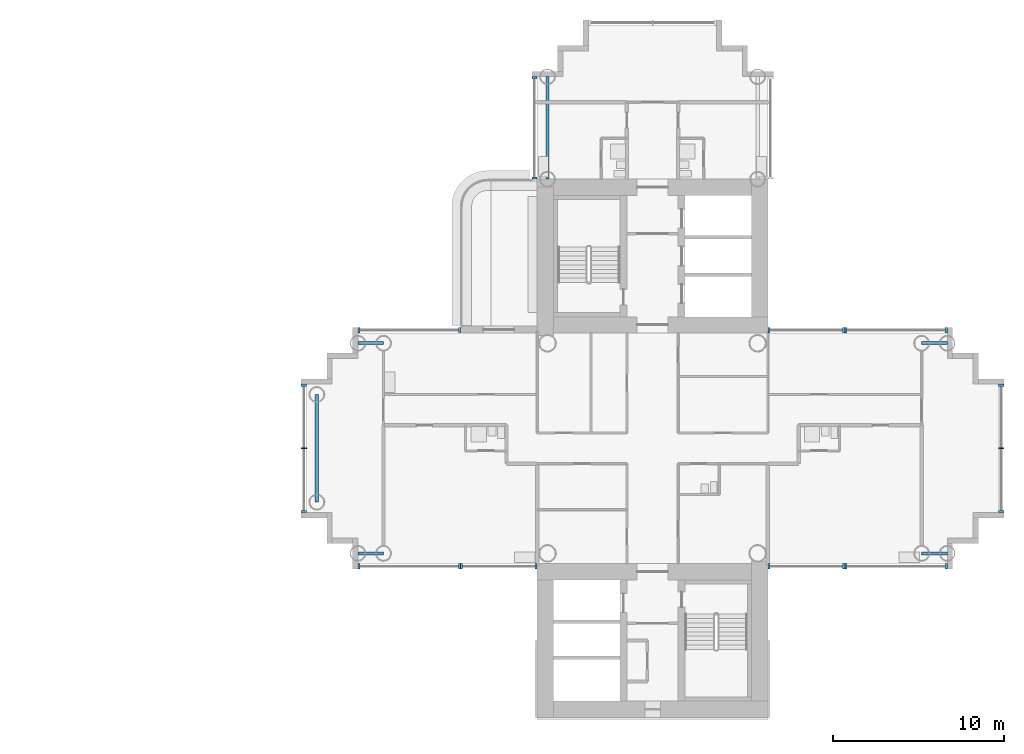
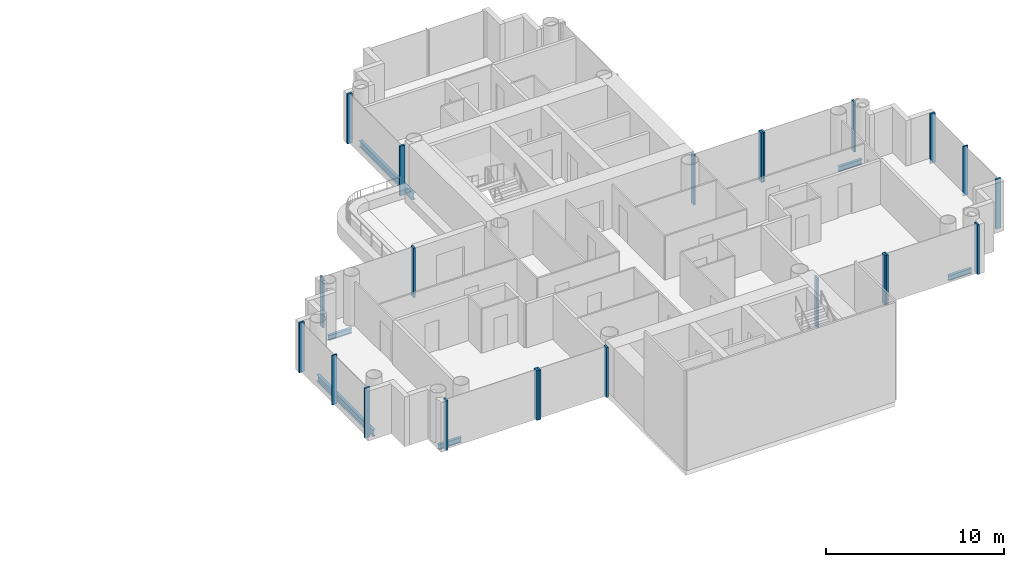
# One storey, part 5 of 21: 22 members, 6 beams, 10 elements without a shape of their own.
"""IFC4 building model written with IfcOpenShell, lengths in metres."""

from ifc_helpers import new_model, si_unit, direction, frame, origin, origin_2d, place, context, subcontext, project, spatial, rectangle, i_section, extrude, material, layer, layer_set, material_profile, profile_set, type_object, element, aggregate, save


model = new_model("IFC4")

# Units and contexts
model_context = context("Model", 3, precision=1e-05, world=origin(), true_north=direction((0.0, 1.0)))
body_context = subcontext(model_context, "Body", "Model", "MODEL_VIEW")
ifc_project = project(units=[si_unit("LENGTHUNIT", "METRE"), si_unit("AREAUNIT", "SQUARE_METRE"), si_unit("VOLUMEUNIT", "CUBIC_METRE"), si_unit("PLANEANGLEUNIT", "RADIAN"), si_unit("MASSUNIT", "GRAM", prefix="KILO")], contexts=[model_context])

# Site, building, storey
site_placement = place(None, origin())
site = spatial("IfcSite", under=ifc_project, at=site_placement, CompositionType="ELEMENT")
building_placement = place(site_placement, origin())
building = spatial("IfcBuilding", under=site, at=building_placement, Name="Ipe Terrace Towers", CompositionType="ELEMENT")
storey_placement = place(building_placement, frame((0.0, 0.0, 103.800048828125)))
storey = spatial("IfcBuildingStorey", under=building, at=storey_placement, Name="L28", CompositionType="ELEMENT", Elevation=103.800048828125)

# Beams
ifc_material_1 = material(Name="Steel S355", Category="steel")
ifc_material_profile_1 = material_profile(ifc_material_1, i_section(OverallWidth=0.175048828125, OverallDepth=0.35009765625, WebThickness=0.007080078125, FlangeThickness=0.010986328125, at=origin_2d()), Name="H-350x175x7x11")
ifc_profile_set_1 = profile_set([ifc_material_profile_1], Name="Steel S355")
beam_type_1 = type_object("IfcBeamType", Name="H04 EDGE BEAM H-350x175x7x11", PredefinedType="BEAM", material=ifc_profile_set_1)
for number, where, z_axis, x_axis, name in (
    (1, (20.25, 6.14990234375, -0.574951171875), (-1.0, 0.0, 0.0), (0.0, -1.0, 0.0), "Edge beam T2-EB-B03-B05"),
    (2, (20.25, -6.14990234375, -0.574951171875), (-1.0, 0.0, 0.0), (0.0, -1.0, 0.0), "Edge beam T2-EB-B04-B06"),
    (3, (51.75, -6.14990234375, -0.574951171875), (1.0, 0.0, 0.0), (0.0, 1.0, 0.0), "Edge beam T2-EB-D03-D05"),
    (4, (51.75, 6.14990234375, -0.574951171875), (1.0, 0.0, 0.0), (0.0, 1.0, 0.0), "Edge beam T2-EB-D04-D06"),
):
    element("IfcBeam", number, at=place(storey_placement, frame(where, z_axis=z_axis, x_axis=x_axis)), inside=storey, type_object=beam_type_1, Name=name, PredefinedType="BEAM", context=body_context, shape_type="SweptSolid", body=[
        extrude(i_section(OverallWidth=0.175048828125, OverallDepth=0.35009765625, WebThickness=0.007080078125, FlangeThickness=0.010986328125, at=origin_2d()), origin(), (0.0, 0.0, 1.0), 1.5),
    ])
ifc_material_2 = material(Name="Steel S355", Category="steel")
ifc_material_profile_2 = material_profile(ifc_material_2, i_section(OverallWidth=0.199951171875, OverallDepth=0.449951171875, WebThickness=0.009033203125, FlangeThickness=0.013916015625, at=origin_2d()), Name="H-450x200x9x14")
ifc_profile_set_2 = profile_set([ifc_material_profile_2], Name="Steel S355")
beam_type_2 = type_object("IfcBeamType", Name="H08 EDGE BEAM H-450x200x9x14", PredefinedType="BEAM", material=ifc_profile_set_2)
beam_1_placement = place(storey_placement, frame((29.85009765625, 15.75, -0.625), z_axis=(0.0, 1.0, 0.0), x_axis=(-1.0, 0.0, 0.0)))
element("IfcBeam", 5, at=beam_1_placement, inside=storey, type_object=beam_type_2, Name="Edge beam T2-EB-A02-A04", PredefinedType="BEAM", context=body_context, shape_type="SweptSolid", body=[
    extrude(i_section(OverallWidth=0.199951171875, OverallDepth=0.449951171875, WebThickness=0.009033203125, FlangeThickness=0.013916015625, at=origin_2d()), origin(), (0.0, 0.0, 1.0), 6.0),
])
beam_2_placement = place(storey_placement, frame((16.35009765625, 3.14990234375, -0.625), z_axis=(0.0, -1.0, 0.0), x_axis=(1.0, 0.0, 0.0)))
element("IfcBeam", 6, at=beam_2_placement, inside=storey, type_object=beam_type_2, Name="Edge beam T2-EB-B07-B08", PredefinedType="BEAM", context=body_context, shape_type="SweptSolid", body=[
    extrude(i_section(OverallWidth=0.199951171875, OverallDepth=0.449951171875, WebThickness=0.009033203125, FlangeThickness=0.013916015625, at=origin_2d()), origin(), (0.0, 0.0, 1.0), 6.2998046875),
])

# Curtain wall, members
ifc_material_3 = material(Name="Aluminium alloy 6063-T6", Category="aluminium")
ifc_layer = layer(ifc_material_3, 0.320068359375)
ifc_layer_set = layer_set([ifc_layer], Name="TOWER UNITISED CURTAIN WALL")
curtain_wall_type = type_object("IfcCurtainWallType", Name="TOWER UNITISED CURTAIN WALL", PredefinedType="NOTDEFINED", material=ifc_layer_set)
curtain_wall_1_placement = place(storey_placement, origin())
curtain_wall_1 = element("IfcCurtainWall", 7, at=curtain_wall_1_placement, inside=storey, type_object=curtain_wall_type, Name="T2-CW-L28-02a curtain wall", PredefinedType="NOTDEFINED")
ifc_material_4 = material(Name="Aluminium alloy 6063-T6", Category="aluminium")
ifc_material_profile_3 = material_profile(ifc_material_4, rectangle(XDim=0.320068359375, YDim=0.1201171875, at=origin_2d()), Name="TOWER UNITISED CORNER MULLION 320 x 120")
ifc_profile_set_3 = profile_set([ifc_material_profile_3], Name="Aluminium alloy 6063-T6")
member_type_1 = type_object("IfcMemberType", Name="TOWER UNITISED CORNER MULLION 320 x 120", PredefinedType="MULLION", material=ifc_profile_set_3)
member_1_placement = place(storey_placement, frame((42.81005859375, -6.909912109375, -0.300048828125), z_axis=(0.0, 0.0, 1.0), x_axis=(0.0, -1.0, 0.0)))
member_1 = element("IfcMember", 8, at=member_1_placement, type_object=member_type_1, Name="T2-CW-L28-02a mullion 1", PredefinedType="MULLION", context=body_context, shape_type="SweptSolid", body=[
    extrude(rectangle(XDim=0.320068359375, YDim=0.1201171875, at=origin_2d()), origin(), (0.0, 0.0, 1.0), 3.39990234375),
])
member_2_placement = place(storey_placement, frame((47.18994140625, -6.909912109375, -0.300048828125), z_axis=(0.0, 0.0, 1.0), x_axis=(0.0, -1.0, 0.0)))
member_2 = element("IfcMember", 9, at=member_2_placement, type_object=member_type_1, Name="T2-CW-L28-02a mullion 2", PredefinedType="MULLION", context=body_context, shape_type="SweptSolid", body=[
    extrude(rectangle(XDim=0.320068359375, YDim=0.1201171875, at=origin_2d()), origin(), (0.0, 0.0, 1.0), 3.39990234375),
])
aggregate(curtain_wall_1, [member_1, member_2])

curtain_wall_2_placement = place(storey_placement, origin())
curtain_wall_2 = element("IfcCurtainWall", 10, at=curtain_wall_2_placement, inside=storey, type_object=curtain_wall_type, Name="T2-CW-L28-03a curtain wall", PredefinedType="NOTDEFINED")
member_3_placement = place(storey_placement, frame((47.31005859375, -6.909912109375, -0.300048828125), z_axis=(0.0, 0.0, 1.0), x_axis=(0.0, -1.0, 0.0)))
member_3 = element("IfcMember", 11, at=member_3_placement, type_object=member_type_1, Name="T2-CW-L28-03a mullion 1", PredefinedType="MULLION", context=body_context, shape_type="SweptSolid", body=[
    extrude(rectangle(XDim=0.320068359375, YDim=0.1201171875, at=origin_2d()), origin(), (0.0, 0.0, 1.0), 3.39990234375),
])
member_4_placement = place(storey_placement, frame((53.18994140625, -6.909912109375, -0.300048828125), z_axis=(0.0, 0.0, 1.0), x_axis=(0.0, -1.0, 0.0)))
member_4 = element("IfcMember", 12, at=member_4_placement, type_object=member_type_1, Name="T2-CW-L28-03a mullion 2", PredefinedType="MULLION", context=body_context, shape_type="SweptSolid", body=[
    extrude(rectangle(XDim=0.320068359375, YDim=0.1201171875, at=origin_2d()), origin(), (0.0, 0.0, 1.0), 3.39990234375),
])
aggregate(curtain_wall_2, [member_3, member_4])

curtain_wall_3_placement = place(storey_placement, origin())
curtain_wall_3 = element("IfcCurtainWall", 13, at=curtain_wall_3_placement, inside=storey, type_object=curtain_wall_type, Name="T2-CW-L28-08a curtain wall", PredefinedType="NOTDEFINED")
member_5_placement = place(storey_placement, frame((56.409912109375, -3.68994140625, -0.300048828125), z_axis=(0.0, 0.0, 1.0), x_axis=(1.0, 0.0, 0.0)))
member_5 = element("IfcMember", 14, at=member_5_placement, type_object=member_type_1, Name="T2-CW-L28-08a mullion 1", PredefinedType="MULLION", context=body_context, shape_type="SweptSolid", body=[
    extrude(rectangle(XDim=0.320068359375, YDim=0.1201171875, at=origin_2d()), origin(), (0.0, 0.0, 1.0), 3.39990234375),
])
member_6_placement = place(storey_placement, frame((56.409912109375, 3.68994140625, -0.300048828125), z_axis=(0.0, 0.0, 1.0), x_axis=(1.0, 0.0, 0.0)))
member_6 = element("IfcMember", 15, at=member_6_placement, type_object=member_type_1, Name="T2-CW-L28-08a mullion 3", PredefinedType="MULLION", context=body_context, shape_type="SweptSolid", body=[
    extrude(rectangle(XDim=0.320068359375, YDim=0.1201171875, at=origin_2d()), origin(), (0.0, 0.0, 1.0), 3.39990234375),
])

curtain_wall_4_placement = place(storey_placement, origin())
curtain_wall_4 = element("IfcCurtainWall", 16, at=curtain_wall_4_placement, inside=storey, type_object=curtain_wall_type, Name="T2-CW-L28-13a curtain wall", PredefinedType="NOTDEFINED")
member_7_placement = place(storey_placement, frame((53.18994140625, 6.909912109375, -0.300048828125), z_axis=(0.0, 0.0, 1.0), x_axis=(0.0, 1.0, 0.0)))
member_7 = element("IfcMember", 17, at=member_7_placement, type_object=member_type_1, Name="T2-CW-L28-13a mullion 1", PredefinedType="MULLION", context=body_context, shape_type="SweptSolid", body=[
    extrude(rectangle(XDim=0.320068359375, YDim=0.1201171875, at=origin_2d()), origin(), (0.0, 0.0, 1.0), 3.39990234375),
])
member_8_placement = place(storey_placement, frame((47.31005859375, 6.909912109375, -0.300048828125), z_axis=(0.0, 0.0, 1.0), x_axis=(0.0, 1.0, 0.0)))
member_8 = element("IfcMember", 18, at=member_8_placement, type_object=member_type_1, Name="T2-CW-L28-13a mullion 2", PredefinedType="MULLION", context=body_context, shape_type="SweptSolid", body=[
    extrude(rectangle(XDim=0.320068359375, YDim=0.1201171875, at=origin_2d()), origin(), (0.0, 0.0, 1.0), 3.39990234375),
])
aggregate(curtain_wall_4, [member_7, member_8])

curtain_wall_5_placement = place(storey_placement, origin())
curtain_wall_5 = element("IfcCurtainWall", 19, at=curtain_wall_5_placement, inside=storey, type_object=curtain_wall_type, Name="T2-CW-L28-14a curtain wall", PredefinedType="NOTDEFINED")
member_9_placement = place(storey_placement, frame((47.18994140625, 6.909912109375, -0.300048828125), z_axis=(0.0, 0.0, 1.0), x_axis=(0.0, 1.0, 0.0)))
member_9 = element("IfcMember", 20, at=member_9_placement, type_object=member_type_1, Name="T2-CW-L28-14a mullion 1", PredefinedType="MULLION", context=body_context, shape_type="SweptSolid", body=[
    extrude(rectangle(XDim=0.320068359375, YDim=0.1201171875, at=origin_2d()), origin(), (0.0, 0.0, 1.0), 3.39990234375),
])
member_10_placement = place(storey_placement, frame((42.81005859375, 6.909912109375, -0.300048828125), z_axis=(0.0, 0.0, 1.0), x_axis=(0.0, 1.0, 0.0)))
member_10 = element("IfcMember", 21, at=member_10_placement, type_object=member_type_1, Name="T2-CW-L28-14a mullion 2", PredefinedType="MULLION", context=body_context, shape_type="SweptSolid", body=[
    extrude(rectangle(XDim=0.320068359375, YDim=0.1201171875, at=origin_2d()), origin(), (0.0, 0.0, 1.0), 3.39990234375),
])
aggregate(curtain_wall_5, [member_9, member_10])

curtain_wall_6_placement = place(storey_placement, origin())
curtain_wall_6 = element("IfcCurtainWall", 22, at=curtain_wall_6_placement, inside=storey, type_object=curtain_wall_type, Name="T2-CW-L28-26a curtain wall", PredefinedType="NOTDEFINED")
member_11_placement = place(storey_placement, frame((29.090087890625, 21.68994140625, -0.300048828125), z_axis=(0.0, 0.0, 1.0), x_axis=(-1.0, 0.0, 0.0)))
member_11 = element("IfcMember", 23, at=member_11_placement, type_object=member_type_1, Name="T2-CW-L28-26a mullion 1", PredefinedType="MULLION", context=body_context, shape_type="SweptSolid", body=[
    extrude(rectangle(XDim=0.320068359375, YDim=0.1201171875, at=origin_2d()), origin(), (0.0, 0.0, 1.0), 3.39990234375),
])
member_12_placement = place(storey_placement, frame((29.090087890625, 15.81103515625, -0.300048828125), z_axis=(0.0, 0.0, 1.0), x_axis=(-1.0, 0.0, 0.0)))
member_12 = element("IfcMember", 24, at=member_12_placement, type_object=member_type_1, Name="T2-CW-L28-26a mullion 2", PredefinedType="MULLION", context=body_context, shape_type="SweptSolid", body=[
    extrude(rectangle(XDim=0.320068359375, YDim=0.1201171875, at=origin_2d()), origin(), (0.0, 0.0, 1.0), 3.39990234375),
])
aggregate(curtain_wall_6, [member_11, member_12])

curtain_wall_7_placement = place(storey_placement, origin())
curtain_wall_7 = element("IfcCurtainWall", 25, at=curtain_wall_7_placement, inside=storey, type_object=curtain_wall_type, Name="T2-CW-L28-29a curtain wall", PredefinedType="NOTDEFINED")
member_13_placement = place(storey_placement, frame((24.68994140625, 6.909912109375, -0.300048828125), z_axis=(0.0, 0.0, 1.0), x_axis=(0.0, 1.0, 0.0)))
member_13 = element("IfcMember", 26, at=member_13_placement, type_object=member_type_1, Name="T2-CW-L28-29a mullion 1", PredefinedType="MULLION", context=body_context, shape_type="SweptSolid", body=[
    extrude(rectangle(XDim=0.320068359375, YDim=0.1201171875, at=origin_2d()), origin(), (0.0, 0.0, 1.0), 3.39990234375),
])
member_14_placement = place(storey_placement, frame((18.81005859375, 6.909912109375, -0.300048828125), z_axis=(0.0, 0.0, 1.0), x_axis=(0.0, 1.0, 0.0)))
member_14 = element("IfcMember", 27, at=member_14_placement, type_object=member_type_1, Name="T2-CW-L28-29a mullion 2", PredefinedType="MULLION", context=body_context, shape_type="SweptSolid", body=[
    extrude(rectangle(XDim=0.320068359375, YDim=0.1201171875, at=origin_2d()), origin(), (0.0, 0.0, 1.0), 3.39990234375),
])
aggregate(curtain_wall_7, [member_13, member_14])

curtain_wall_8_placement = place(storey_placement, origin())
curtain_wall_8 = element("IfcCurtainWall", 28, at=curtain_wall_8_placement, inside=storey, type_object=curtain_wall_type, Name="T2-CW-L28-34a curtain wall", PredefinedType="NOTDEFINED")
member_15_placement = place(storey_placement, frame((15.590087890625, 3.68994140625, -0.300048828125), z_axis=(0.0, 0.0, 1.0), x_axis=(-1.0, 0.0, 0.0)))
member_15 = element("IfcMember", 29, at=member_15_placement, type_object=member_type_1, Name="T2-CW-L28-34a mullion 1", PredefinedType="MULLION", context=body_context, shape_type="SweptSolid", body=[
    extrude(rectangle(XDim=0.320068359375, YDim=0.1201171875, at=origin_2d()), origin(), (0.0, 0.0, 1.0), 3.39990234375),
])
member_16_placement = place(storey_placement, frame((15.590087890625, -3.68994140625, -0.300048828125), z_axis=(0.0, 0.0, 1.0), x_axis=(-1.0, 0.0, 0.0)))
member_16 = element("IfcMember", 30, at=member_16_placement, type_object=member_type_1, Name="T2-CW-L28-34a mullion 3", PredefinedType="MULLION", context=body_context, shape_type="SweptSolid", body=[
    extrude(rectangle(XDim=0.320068359375, YDim=0.1201171875, at=origin_2d()), origin(), (0.0, 0.0, 1.0), 3.39990234375),
])

curtain_wall_9_placement = place(storey_placement, origin())
curtain_wall_9 = element("IfcCurtainWall", 31, at=curtain_wall_9_placement, inside=storey, type_object=curtain_wall_type, Name="T2-CW-L28-39a curtain wall", PredefinedType="NOTDEFINED")
member_17_placement = place(storey_placement, frame((18.81005859375, -6.909912109375, -0.300048828125), z_axis=(0.0, 0.0, 1.0), x_axis=(0.0, -1.0, 0.0)))
member_17 = element("IfcMember", 32, at=member_17_placement, type_object=member_type_1, Name="T2-CW-L28-39a mullion 1", PredefinedType="MULLION", context=body_context, shape_type="SweptSolid", body=[
    extrude(rectangle(XDim=0.320068359375, YDim=0.1201171875, at=origin_2d()), origin(), (0.0, 0.0, 1.0), 3.39990234375),
])
member_18_placement = place(storey_placement, frame((24.68994140625, -6.909912109375, -0.300048828125), z_axis=(0.0, 0.0, 1.0), x_axis=(0.0, -1.0, 0.0)))
member_18 = element("IfcMember", 33, at=member_18_placement, type_object=member_type_1, Name="T2-CW-L28-39a mullion 2", PredefinedType="MULLION", context=body_context, shape_type="SweptSolid", body=[
    extrude(rectangle(XDim=0.320068359375, YDim=0.1201171875, at=origin_2d()), origin(), (0.0, 0.0, 1.0), 3.39990234375),
])
aggregate(curtain_wall_9, [member_17, member_18])

curtain_wall_10_placement = place(storey_placement, origin())
curtain_wall_10 = element("IfcCurtainWall", 34, at=curtain_wall_10_placement, inside=storey, type_object=curtain_wall_type, Name="T2-CW-L28-40a curtain wall", PredefinedType="NOTDEFINED")
member_19_placement = place(storey_placement, frame((24.81005859375, -6.909912109375, -0.300048828125), z_axis=(0.0, 0.0, 1.0), x_axis=(0.0, -1.0, 0.0)))
member_19 = element("IfcMember", 35, at=member_19_placement, type_object=member_type_1, Name="T2-CW-L28-40a mullion 1", PredefinedType="MULLION", context=body_context, shape_type="SweptSolid", body=[
    extrude(rectangle(XDim=0.320068359375, YDim=0.1201171875, at=origin_2d()), origin(), (0.0, 0.0, 1.0), 3.39990234375),
])
member_20_placement = place(storey_placement, frame((29.18994140625, -6.909912109375, -0.300048828125), z_axis=(0.0, 0.0, 1.0), x_axis=(0.0, -1.0, 0.0)))
member_20 = element("IfcMember", 36, at=member_20_placement, type_object=member_type_1, Name="T2-CW-L28-40a mullion 2", PredefinedType="MULLION", context=body_context, shape_type="SweptSolid", body=[
    extrude(rectangle(XDim=0.320068359375, YDim=0.1201171875, at=origin_2d()), origin(), (0.0, 0.0, 1.0), 3.39990234375),
])
aggregate(curtain_wall_10, [member_19, member_20])

# Member
ifc_material_5 = material(Name="Aluminium alloy 6063-T6", Category="aluminium")
ifc_material_profile_4 = material_profile(ifc_material_5, rectangle(XDim=0.320068359375, YDim=0.06494140625, at=origin_2d()), Name="TOWER UNITISED MULLION 320 x 65")
ifc_profile_set_4 = profile_set([ifc_material_profile_4], Name="Aluminium alloy 6063-T6")
member_type_2 = type_object("IfcMemberType", Name="TOWER UNITISED MULLION 320 x 65", PredefinedType="MULLION", material=ifc_profile_set_4)
member_21_placement = place(storey_placement, frame((56.409912109375, 0.0, -0.300048828125), z_axis=(0.0, 0.0, 1.0), x_axis=(1.0, 0.0, 0.0)))
member_21 = element("IfcMember", 37, at=member_21_placement, type_object=member_type_2, Name="T2-CW-L28-08a mullion 2", PredefinedType="MULLION", context=body_context, shape_type="SweptSolid", body=[
    extrude(rectangle(XDim=0.320068359375, YDim=0.06494140625, at=origin_2d()), origin(), (0.0, 0.0, 1.0), 3.39990234375),
])

aggregate(curtain_wall_3, [member_5, member_21, member_6])

member_22_placement = place(storey_placement, frame((15.590087890625, 0.0, -0.300048828125), z_axis=(0.0, 0.0, 1.0), x_axis=(-1.0, 0.0, 0.0)))
member_22 = element("IfcMember", 38, at=member_22_placement, type_object=member_type_2, Name="T2-CW-L28-34a mullion 2", PredefinedType="MULLION", context=body_context, shape_type="SweptSolid", body=[
    extrude(rectangle(XDim=0.320068359375, YDim=0.06494140625, at=origin_2d()), origin(), (0.0, 0.0, 1.0), 3.39990234375),
])

aggregate(curtain_wall_8, [member_15, member_22, member_16])

save(model, "model.ifc")
